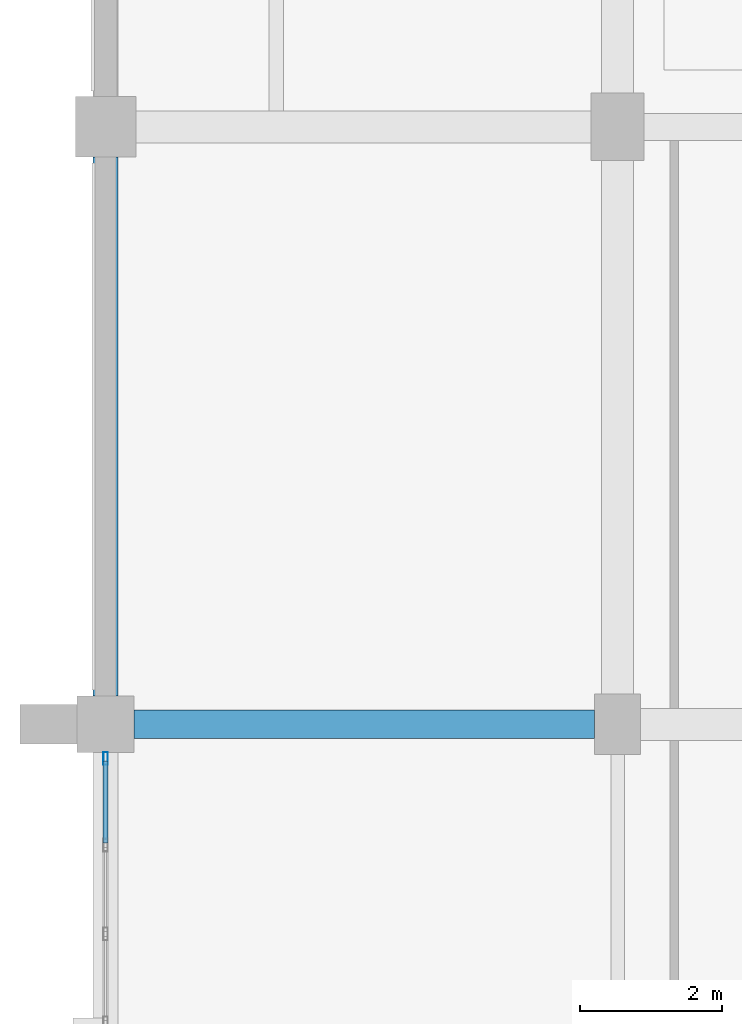
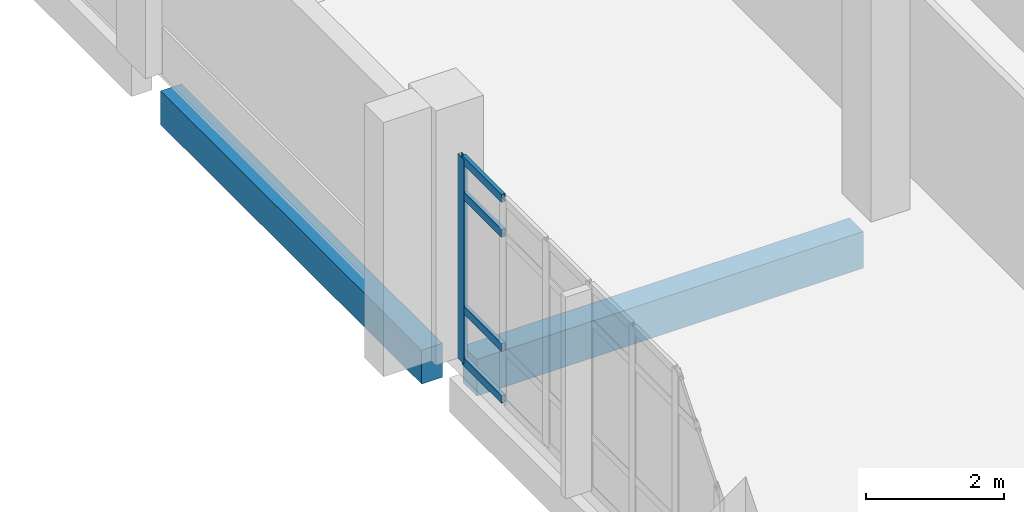
# One storey, part 52 of 134: 5 members, 2 beams, 1 element without a shape of its own.
"""IFC4 building model written with IfcOpenShell, lengths in metres."""

import ifcopenshell
import ifcopenshell.guid

model = None  # the IFC model being written
_history = None  # IfcOwnerHistory: only IFC2X3 demands one
_inside = {}  # id of a spatial element -> (the spatial element, [elements in it])
_under = {}  # id of a project, library or spatial element -> (it, [spatial elements below it])
_declared = {}  # id of a project -> (the project, [libraries it declares])
_typed = {}  # id of a type object -> (the type object, [elements of that type])
_made_of = {}  # id of a material, layer set ... -> (it, [elements and type objects made of it])


def new_model(schema):
    """Start an empty IFC model of exactly this schema.

    Asked for "IFC4X3", IfcOpenShell would pick the latest addendum, in which some entities
    have other attributes; the version numbers below select the first issue.
    IFC2X3 requires an IfcOwnerHistory on every rooted entity: one is made here for all.
    """
    global model, _history
    if schema == "IFC4X3":
        model = ifcopenshell.file(schema_version=(4, 3, 0, 0))
    else:
        model = ifcopenshell.file(schema=schema)
    _inside.clear()
    _under.clear()
    _declared.clear()
    _typed.clear()
    _made_of.clear()
    _history = None
    if model.schema == "IFC2X3":
        org = make("IfcOrganization", Name="unknown")
        user = make(
            "IfcPersonAndOrganization",
            ThePerson=make("IfcPerson", FamilyName="unknown"),
            TheOrganization=org,
        )
        app = make(
            "IfcApplication",
            ApplicationDeveloper=org,
            Version="unknown",
            ApplicationFullName="unknown",
            ApplicationIdentifier="unknown",
        )
        _history = make(
            "IfcOwnerHistory",
            OwningUser=user,
            OwningApplication=app,
            ChangeAction="ADDED",
            CreationDate=0,
        )
    return model


def make(cls, **values):
    """One entity of the class cls with the attributes given. An attribute that is None is left unset."""
    return model.create_entity(
        cls, **{name: value for name, value in values.items() if value is not None}
    )


def rooted(cls, **values):
    """An entity with a GlobalId (a new one), such as an element, a storey or a relation."""
    return make(cls, GlobalId=ifcopenshell.guid.new(), OwnerHistory=_history, **values)


def si_unit(unit_type, name, prefix=None):
    """IfcSIUnit, for example si_unit("LENGTHUNIT", "METRE", prefix="MILLI")."""
    return make("IfcSIUnit", UnitType=unit_type, Prefix=prefix, Name=name)


def assignment(units):
    """IfcUnitAssignment: the units of a project."""
    return None if units is None else make("IfcUnitAssignment", Units=units)


def point(xyz):
    """IfcCartesianPoint."""
    return None if xyz is None else make("IfcCartesianPoint", Coordinates=xyz)


def direction(xyz):
    """IfcDirection."""
    return None if xyz is None else make("IfcDirection", DirectionRatios=xyz)


def frame(location, z_axis=None, x_axis=None):
    """IfcAxis2Placement3D, a coordinate frame: its origin and axes. An axis left out is left unset."""
    return make(
        "IfcAxis2Placement3D",
        Location=point(location),
        Axis=direction(z_axis),
        RefDirection=direction(x_axis),
    )


def frame_2d(location, x_axis=None):
    """IfcAxis2Placement2D, a coordinate frame in the plane: its origin and x axis."""
    return make(
        "IfcAxis2Placement2D", Location=point(location), RefDirection=direction(x_axis)
    )


def origin():
    """The frame at (0, 0, 0) with its axes left unset."""
    return frame((0.0, 0.0, 0.0))


def origin_2d():
    """The frame at (0, 0) in the plane with its x axis left unset."""
    return frame_2d((0.0, 0.0))


def place(relative_to, where):
    """IfcLocalPlacement: puts the frame where relative to a parent placement (None: the world)."""
    return make(
        "IfcLocalPlacement", PlacementRelTo=relative_to, RelativePlacement=where
    )


def context(
    kind, dimensions, precision=None, world=None, true_north=None, identifier=None
):
    """IfcGeometricRepresentationContext, for example the 3D "Model" context."""
    return make(
        "IfcGeometricRepresentationContext",
        ContextIdentifier=identifier,
        ContextType=kind,
        CoordinateSpaceDimension=dimensions,
        Precision=precision,
        WorldCoordinateSystem=world,
        TrueNorth=true_north,
    )


def subcontext(parent, identifier, kind, view, scale=None):
    """IfcGeometricRepresentationSubContext, for example "Body" below "Model"."""
    return make(
        "IfcGeometricRepresentationSubContext",
        ContextIdentifier=identifier,
        ContextType=kind,
        ParentContext=parent,
        TargetScale=scale,
        TargetView=view,
    )


def project(units=None, contexts=None):
    """IfcProject with its units and contexts."""
    return rooted(
        "IfcProject",
        Name="project",
        RepresentationContexts=contexts,
        UnitsInContext=assignment(units),
    )


def spatial(cls, under=None, at=None, **own):
    """A site, building, storey or space (cls), placed at a placement, below another one or the project."""
    s = rooted(cls, ObjectPlacement=at, **own)
    if under is not None:
        _under.setdefault(under.id(), (under, []))[1].append(s)
    return s


def profile(cls, at=None, kind="AREA", **sizes):
    """A parametric profile (cls). Its sizes go by their IFC names, for example OverallWidth=200.0."""
    return make(cls, ProfileType=kind, Position=at, **sizes)


def rectangle(**sizes):
    """IfcRectangleProfileDef."""
    return profile("IfcRectangleProfileDef", **sizes)


def hollow_rectangle(**sizes):
    """IfcRectangleHollowProfileDef."""
    return profile("IfcRectangleHollowProfileDef", **sizes)


def extrude(swept, where, along, depth):
    """IfcExtrudedAreaSolid: the profile swept, set in the frame where, extruded along a direction by depth."""
    return make(
        "IfcExtrudedAreaSolid",
        SweptArea=swept,
        Position=where,
        ExtrudedDirection=direction(along),
        Depth=depth,
    )


def shape(context_of_items, identifier, shape_type, items):
    """IfcShapeRepresentation: the items that make up one representation, for example the "Body"."""
    return make(
        "IfcShapeRepresentation",
        ContextOfItems=context_of_items,
        RepresentationIdentifier=identifier,
        RepresentationType=shape_type,
        Items=items,
    )


def material(Name=None, Category=None):
    """IfcMaterial."""
    return make("IfcMaterial", Name=Name, Category=Category)


def material_profile(
    of_material, cross_section, Name=None, Category=None, Priority=None
):
    """IfcMaterialProfile: a cross section and its material."""
    return make(
        "IfcMaterialProfile",
        Name=Name,
        Material=of_material,
        Profile=cross_section,
        Priority=Priority,
        Category=Category,
    )


def profile_set(profiles, Name=None, composite=None):
    """IfcMaterialProfileSet."""
    return make(
        "IfcMaterialProfileSet",
        Name=Name,
        MaterialProfiles=profiles,
        CompositeProfile=composite,
    )


def made_of(thing, what):
    """Note that an element or type object is made of a material, layer set ...; save() writes the relation."""
    if what is not None:
        _made_of.setdefault(what.id(), (what, []))[1].append(thing)
    return thing


def type_object(cls, material=None, **own):
    """A type object (cls), such as IfcWallType, which elements share."""
    return made_of(rooted(cls, **own), material)


def element(
    cls,
    number,
    at=None,
    inside=None,
    cuts=None,
    type_object=None,
    material=None,
    context=None,
    identifier="Body",
    shape_type=None,
    held_by="IfcProductDefinitionShape",
    body=None,
    shapes=None,
    **own,
):
    """One element of the class cls, such as IfcWall. Its Tag is "e" and its number.

    at: its placement. inside: the storey or other place that contains it. cuts: it is an
    opening in that element (IfcRelVoidsElement). A single representation is given by context,
    identifier, shape_type and body (its items); several are given by shapes. held_by: the class
    of the entity that holds the representations. save() writes the other relations.
    """
    e = rooted(cls, Tag="e%d" % number, ObjectPlacement=at, **own)
    if body is not None:
        shapes = [shape(context, identifier, shape_type, body)]
    if shapes is not None:
        e.Representation = make(held_by, Representations=shapes)
    if inside is not None:
        _inside.setdefault(inside.id(), (inside, []))[1].append(e)
    if cuts is not None:
        rooted(
            "IfcRelVoidsElement", RelatingBuildingElement=cuts, RelatedOpeningElement=e
        )
    if type_object is not None:
        _typed.setdefault(type_object.id(), (type_object, []))[1].append(e)
    return made_of(e, material)


def aggregate(whole, parts):
    """IfcRelAggregates: a whole, such as a stair, and the parts it consists of."""
    return rooted("IfcRelAggregates", RelatingObject=whole, RelatedObjects=parts)


def save(model, path):
    """Write the relations noted so far, then the file.

    IfcRelAggregates (storeys below a building ...), IfcRelContainedInSpatialStructure (elements
    in a storey), IfcRelDefinesByType, IfcRelAssociatesMaterial and IfcRelDeclares: one each for
    every whole, place, type object, material and project.
    """
    for whole, parts in _under.values():
        aggregate(whole, parts)
    for where, things in _inside.values():
        rooted(
            "IfcRelContainedInSpatialStructure",
            RelatedElements=things,
            RelatingStructure=where,
        )
    for kind, things in _typed.values():
        rooted("IfcRelDefinesByType", RelatedObjects=things, RelatingType=kind)
    for what, things in _made_of.values():
        rooted("IfcRelAssociatesMaterial", RelatedObjects=things, RelatingMaterial=what)
    for by, libraries in _declared.values():
        rooted("IfcRelDeclares", RelatingContext=by, RelatedDefinitions=libraries)
    model.write(path)


model = new_model("IFC4")

# Units and contexts
model_context = context("Model", 3, precision=1e-05, world=origin(), true_north=direction((0.0, 1.0)))
body_context = subcontext(model_context, "Body", "Model", "MODEL_VIEW")
ifc_project = project(units=[si_unit("LENGTHUNIT", "METRE"), si_unit("AREAUNIT", "SQUARE_METRE"), si_unit("VOLUMEUNIT", "CUBIC_METRE"), si_unit("PLANEANGLEUNIT", "RADIAN"), si_unit("MASSUNIT", "GRAM", prefix="KILO")], contexts=[model_context])

# Site, building, storey
site_placement = place(None, origin())
site = spatial("IfcSite", under=ifc_project, at=site_placement, CompositionType="ELEMENT")
building_placement = place(site_placement, origin())
building = spatial("IfcBuilding", under=site, at=building_placement, Name="Kalluvel Institute of Natural Sciences", CompositionType="ELEMENT")
storey_placement = place(building_placement, frame((0.0, 0.0, 5.39990234375)))
storey = spatial("IfcBuildingStorey", under=building, at=storey_placement, Name="L01", CompositionType="ELEMENT", Elevation=5.39990234375)

# Beam
ifc_material_1 = material(Name="Concrete M40", Category="concrete")
ifc_material_profile_1 = material_profile(ifc_material_1, rectangle(XDim=0.39990234375, YDim=0.64990234375, at=origin_2d()), Name="RCB 400x650")
ifc_profile_set_1 = profile_set([ifc_material_profile_1], Name="Concrete M40")
beam_type_1 = type_object("IfcBeamType", Name="BM-RC400x650", PredefinedType="BEAM", material=ifc_profile_set_1)
beam_1_placement = place(storey_placement, frame((14.39990234375, 94.39990234375, -0.625), z_axis=(1.0, 0.0, 0.0), x_axis=(0.0, 1.0, 0.0)))
element("IfcBeam", 1, at=beam_1_placement, inside=storey, type_object=beam_type_1, Name="L01 girder GIR-L01-EW-X140-Y944", PredefinedType="BEAM", context=body_context, shape_type="SweptSolid", body=[
    extrude(rectangle(XDim=0.39990234375, YDim=0.64990234375, at=origin_2d()), origin(), (0.0, 0.0, 1.0), 6.47509765625),
])

# Curtain wall, members
ifc_material_2 = material(Name="Aluminium AW-6063 T6", Category="aluminium")
curtain_wall_type = type_object("IfcCurtainWallType", Name="CW-DRY-45", PredefinedType="USERDEFINED", material=ifc_material_2)
curtain_wall_placement = place(storey_placement, origin())
curtain_wall = element("IfcCurtainWall", 2, at=curtain_wall_placement, inside=storey, type_object=curtain_wall_type, Name="L01 Gothic lancet curtain wall CWA-L01-X140-Y864", ObjectType="UNITISED LANCET FACADE", PredefinedType="USERDEFINED")
ifc_material_profile_2 = material_profile(ifc_material_2, hollow_rectangle(XDim=0.06494140625, YDim=0.179931640625, WallThickness=0.00439453125, at=origin_2d()), Name="CWM 65x180")
ifc_profile_set_2 = profile_set([ifc_material_profile_2], Name="Aluminium AW-6063 T6")
member_type_1 = type_object("IfcMemberType", Name="CWM-65x180", PredefinedType="MULLION", material=ifc_profile_set_2)
member_1_placement = place(storey_placement, frame((14.0, 93.91748046875, 0.0), z_axis=(0.0, 0.0, 1.0), x_axis=(-1.0, 0.0, 0.0)))
member_1 = element("IfcMember", 3, at=member_1_placement, type_object=member_type_1, Name="CW-03 mullion 7", PredefinedType="MULLION", context=body_context, shape_type="SweptSolid", body=[
    extrude(hollow_rectangle(XDim=0.06494140625, YDim=0.179931640625, WallThickness=0.00439453125, at=origin_2d()), origin(), (0.0, 0.0, 1.0), 3.6201171875),
])
ifc_material_profile_3 = material_profile(ifc_material_2, hollow_rectangle(XDim=0.06494140625, YDim=0.139892578125, WallThickness=0.00439453125, at=origin_2d()), Name="CWT 65x140")
ifc_profile_set_3 = profile_set([ifc_material_profile_3], Name="Aluminium AW-6063 T6")
member_type_2 = type_object("IfcMemberType", Name="CWT-65x140", PredefinedType="USERDEFINED", material=ifc_profile_set_3)
member_2_placement = place(storey_placement, frame((14.0, 92.732421875, 0.03271484375), z_axis=(0.0, 1.0, 0.0), x_axis=(-1.0, 0.0, 0.0)))
member_2 = element("IfcMember", 4, at=member_2_placement, type_object=member_type_2, Name="CW-03 transom 6.1", ObjectType="TRANSOM", PredefinedType="USERDEFINED", context=body_context, shape_type="SweptSolid", body=[
    extrude(hollow_rectangle(XDim=0.06494140625, YDim=0.139892578125, WallThickness=0.00439453125, at=origin_2d()), origin(), (0.0, 0.0, 1.0), 1.152587890625),
])
member_3_placement = place(storey_placement, frame((14.0, 92.732421875, 0.9501953125), z_axis=(0.0, 1.0, 0.0), x_axis=(-1.0, 0.0, 0.0)))
member_3 = element("IfcMember", 5, at=member_3_placement, type_object=member_type_2, Name="CW-03 transom 6.2", ObjectType="TRANSOM", PredefinedType="USERDEFINED", context=body_context, shape_type="SweptSolid", body=[
    extrude(hollow_rectangle(XDim=0.06494140625, YDim=0.139892578125, WallThickness=0.00439453125, at=origin_2d()), origin(), (0.0, 0.0, 1.0), 1.152587890625),
])
member_4_placement = place(storey_placement, frame((14.0, 92.732421875, 2.97021484375), z_axis=(0.0, 1.0, 0.0), x_axis=(-1.0, 0.0, 0.0)))
member_4 = element("IfcMember", 6, at=member_4_placement, type_object=member_type_2, Name="CW-03 transom 6.3", ObjectType="TRANSOM", PredefinedType="USERDEFINED", context=body_context, shape_type="SweptSolid", body=[
    extrude(hollow_rectangle(XDim=0.06494140625, YDim=0.139892578125, WallThickness=0.00439453125, at=origin_2d()), origin(), (0.0, 0.0, 1.0), 1.152587890625),
])
member_5_placement = place(storey_placement, frame((14.0, 92.732421875, 3.587646484375), z_axis=(0.0, 1.0, 0.0), x_axis=(-1.0, 0.0, 0.0)))
member_5 = element("IfcMember", 7, at=member_5_placement, type_object=member_type_2, Name="CW-03 transom 6.4", ObjectType="TRANSOM", PredefinedType="USERDEFINED", context=body_context, shape_type="SweptSolid", body=[
    extrude(hollow_rectangle(XDim=0.06494140625, YDim=0.139892578125, WallThickness=0.00439453125, at=origin_2d()), origin(), (0.0, 0.0, 1.0), 1.152587890625),
])
aggregate(curtain_wall, [member_1, member_2, member_3, member_4, member_5])

# Beam
ifc_material_profile_4 = material_profile(ifc_material_1, rectangle(XDim=0.35009765625, YDim=0.60009765625, at=origin_2d()), Name="RCB 350x600")
ifc_profile_set_4 = profile_set([ifc_material_profile_4], Name="Concrete M40")
beam_type_2 = type_object("IfcBeamType", Name="SP-RC350x600", PredefinedType="SPANDREL", material=ifc_profile_set_4)
beam_2_placement = place(storey_placement, frame((14.0, 94.800048828125, -0.599853515625), z_axis=(0.0, 1.0, 0.0), x_axis=(-1.0, 0.0, 0.0)))
element("IfcBeam", 8, at=beam_2_placement, inside=storey, type_object=beam_type_2, Name="L01 girder GIR-L01-NS-X140-Y944", PredefinedType="SPANDREL", context=body_context, shape_type="SweptSolid", body=[
    extrude(rectangle(XDim=0.35009765625, YDim=0.60009765625, at=origin_2d()), origin(), (0.0, 0.0, 1.0), 7.574951171875),
])

save(model, "model.ifc")
